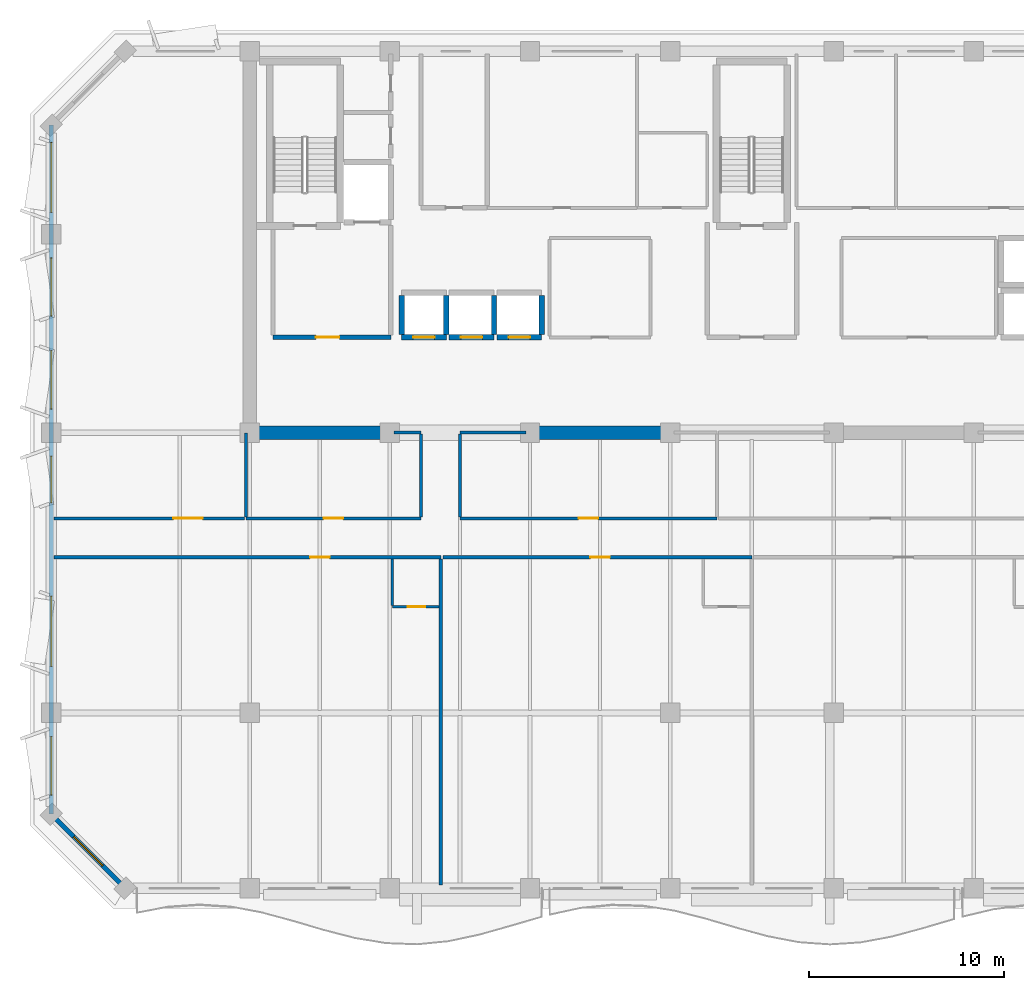
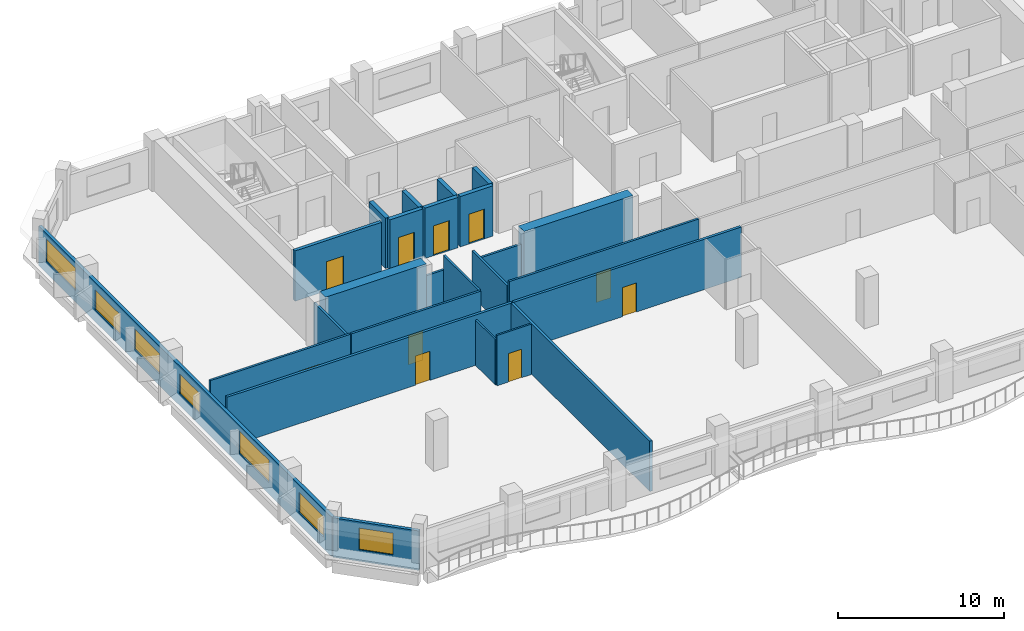
# One storey, part 3 of 11: 25 walls, 10 doors, 7 windows, 17 openings.
"""IFC4 building model written with IfcOpenShell, lengths in metres."""

from ifc_helpers import new_model, si_unit, direction, frame, frame_2d, origin, place, context, subcontext, project, spatial, rectangle, extrude, material, layer, layer_set, type_object, element, fill, save


model = new_model("IFC4")

# Units and contexts
model_context = context("Model", 3, precision=1e-05, world=origin(), true_north=direction((0.0, 1.0)))
body_context = subcontext(model_context, "Body", "Model", "MODEL_VIEW")
ifc_project = project(units=[si_unit("LENGTHUNIT", "METRE"), si_unit("AREAUNIT", "SQUARE_METRE"), si_unit("VOLUMEUNIT", "CUBIC_METRE"), si_unit("PLANEANGLEUNIT", "RADIAN"), si_unit("MASSUNIT", "GRAM", prefix="KILO")], contexts=[model_context])

# Site, building, storey
site_placement = place(None, origin())
site = spatial("IfcSite", under=ifc_project, at=site_placement, CompositionType="ELEMENT")
building_placement = place(site_placement, origin())
building = spatial("IfcBuilding", under=site, at=building_placement, Name="Kaelvorn Grand Hotel", CompositionType="ELEMENT")
storey_placement = place(building_placement, frame((0.0, 0.0, 268.64990234375)))
storey = spatial("IfcBuildingStorey", under=building, at=storey_placement, Name="L66", CompositionType="ELEMENT", Elevation=268.64990234375)

# Walls
ifc_material_1 = material(Name="Concrete C50/60", Category="concrete")
ifc_layer_1 = layer(ifc_material_1, 0.699951171875)
ifc_layer_set_1 = layer_set([ifc_layer_1], Name="Concrete C50/60")
wall_type_1 = type_object("IfcWallType", Name="WL-CORE-700-C50", PredefinedType="SHEAR", material=ifc_layer_set_1)
wall_1_placement = place(storey_placement, frame((16.554931640625, 29.39990234375, 0.0), z_axis=(0.0, 0.0, 1.0), x_axis=(1.0, 0.0, 0.0)))
element("IfcWall", 1, at=wall_1_placement, inside=storey, type_object=wall_type_1, Name="L66 Rear-Core Coupled Shear Pier S1", PredefinedType="SHEAR", context=body_context, shape_type="SweptSolid", body=[
    extrude(rectangle(XDim=7.045166015625, YDim=0.699951171875, at=frame_2d((3.5224609375, 0.0))), origin(), (0.0, 0.0, 1.0), 3.710205078125),
])
wall_2_placement = place(storey_placement, frame((30.39990234375, 29.39990234375, 0.0), z_axis=(0.0, 0.0, 1.0), x_axis=(1.0, 0.0, 0.0)))
element("IfcWall", 2, at=wall_2_placement, inside=storey, type_object=wall_type_1, Name="L66 Rear-Core Coupled Shear Pier S2", PredefinedType="SHEAR", context=body_context, shape_type="SweptSolid", body=[
    extrude(rectangle(XDim=7.60009765625, YDim=0.699951171875, at=frame_2d((3.800048828125, 0.0))), origin(), (0.0, 0.0, 1.0), 3.710205078125),
])

# Wall, openings, windows
ifc_material_2 = material(Name="Concrete C40/50", Category="concrete")
ifc_layer_2 = layer(ifc_material_2, 0.219970703125)
ifc_layer_set_2 = layer_set([ifc_layer_2], Name="Concrete C40/50")
wall_type_2 = type_object("IfcWallType", Name="WL-EXT-220-C40", PredefinedType="SOLIDWALL", material=ifc_layer_set_2)
wall_3_placement = place(storey_placement, frame((6.0, 45.199951171875, 0.0), z_axis=(0.0, 0.0, 1.0), x_axis=(0.0, -1.0, 0.0)))
wall_3 = element("IfcWall", 3, at=wall_3_placement, inside=storey, type_object=wall_type_2, Name="L66 Exterior Architectural Concrete Wall 07", PredefinedType="SOLIDWALL", context=body_context, shape_type="SweptSolid", body=[
    extrude(rectangle(XDim=35.39990234375, YDim=0.219970703125, at=frame_2d((17.699951171875, 0.0))), origin(), (0.0, 0.0, 1.0), 2.91015625),
])
opening_1_placement = place(wall_3_placement, frame((31.4150390625, 0.0, 0.85009765625)))
opening_1 = element("IfcOpeningElement", 4, at=opening_1_placement, cuts=wall_3, Name="Opening W5", PredefinedType="OPENING", context=body_context, shape_type="SweptSolid", body=[
    extrude(rectangle(XDim=3.0, YDim=1.5, at=frame_2d((1.5, 0.75))), frame((0.0, 0.1201171875, 0.0), z_axis=(0.0, -1.0, 0.0), x_axis=(1.0, 0.0, 0.0)), (0.0, 0.0, 1.0), 0.239990234375),
])
opening_2_placement = place(wall_3_placement, frame((24.199951171875, 0.0, 0.85009765625)))
opening_2 = element("IfcOpeningElement", 5, at=opening_2_placement, cuts=wall_3, Name="Opening W3", PredefinedType="OPENING", context=body_context, shape_type="SweptSolid", body=[
    extrude(rectangle(XDim=3.60009765625, YDim=1.64990234375, at=frame_2d((1.800048828125, 0.824951171875))), frame((0.0, 0.1201171875, 0.0), z_axis=(0.0, -1.0, 0.0), x_axis=(1.0, 0.0, 0.0)), (0.0, 0.0, 1.0), 0.239990234375),
])
opening_3_placement = place(wall_3_placement, frame((17.0, 0.0, 0.85009765625)))
opening_3 = element("IfcOpeningElement", 6, at=opening_3_placement, cuts=wall_3, Name="Opening W6", PredefinedType="OPENING", context=body_context, shape_type="SweptSolid", body=[
    extrude(rectangle(XDim=2.39990234375, YDim=1.5, at=frame_2d((1.199951171875, 0.75))), frame((0.0, 0.1201171875, 0.0), z_axis=(0.0, -1.0, 0.0), x_axis=(1.0, 0.0, 0.0)), (0.0, 0.0, 1.0), 0.239990234375),
])
opening_4_placement = place(wall_3_placement, frame((11.5849609375, 0.0, 0.85009765625)))
opening_4 = element("IfcOpeningElement", 7, at=opening_4_placement, cuts=wall_3, Name="Opening W5", PredefinedType="OPENING", context=body_context, shape_type="SweptSolid", body=[
    extrude(rectangle(XDim=3.0, YDim=1.5, at=frame_2d((1.5, 0.75))), frame((0.0, 0.1201171875, 0.0), z_axis=(0.0, -1.0, 0.0), x_axis=(1.0, 0.0, 0.0)), (0.0, 0.0, 1.0), 0.239990234375),
])
opening_5_placement = place(wall_3_placement, frame((6.81494140625, 0.0, 0.85009765625)))
opening_5 = element("IfcOpeningElement", 8, at=opening_5_placement, cuts=wall_3, Name="Opening W5", PredefinedType="OPENING", context=body_context, shape_type="SweptSolid", body=[
    extrude(rectangle(XDim=3.0, YDim=1.5, at=frame_2d((1.5, 0.75))), frame((0.0, 0.1201171875, 0.0), z_axis=(0.0, -1.0, 0.0), x_axis=(1.0, 0.0, 0.0)), (0.0, 0.0, 1.0), 0.239990234375),
])
opening_6_placement = place(wall_3_placement, frame((0.885009765625, 0.0, 0.85009765625)))
opening_6 = element("IfcOpeningElement", 9, at=opening_6_placement, cuts=wall_3, Name="Opening W3", PredefinedType="OPENING", context=body_context, shape_type="SweptSolid", body=[
    extrude(rectangle(XDim=3.60009765625, YDim=1.64990234375, at=frame_2d((1.800048828125, 0.824951171875))), frame((0.0, 0.1201171875, 0.0), z_axis=(0.0, -1.0, 0.0), x_axis=(1.0, 0.0, 0.0)), (0.0, 0.0, 1.0), 0.239990234375),
])
ifc_material_3 = material(Name="Laminated Low-E Glass", Category="glass")
window_type_1 = type_object("IfcWindowType", Name="WIN-NTH-2400x1500", PartitioningType="SINGLE_PANEL", PredefinedType="WINDOW", material=ifc_material_3)
window_1_placement = place(opening_3_placement, origin())
window_1 = element("IfcWindow", 10, at=window_1_placement, inside=storey, type_object=window_type_1, Name="L66 W Wing Tilted-Frame Ribbon Window W03", OverallHeight=1.5, OverallWidth=2.39990234375, PartitioningType="SINGLE_PANEL", PredefinedType="WINDOW", context=body_context, shape_type="SweptSolid", body=[
    extrude(rectangle(XDim=2.39990234375, YDim=1.5, at=frame_2d((1.199951171875, 0.75))), frame((0.0, 0.030029296875, 0.0), z_axis=(0.0, -1.0, 0.0), x_axis=(1.0, 0.0, 0.0)), (0.0, 0.0, 1.0), 0.06005859375),
])
fill(opening_3, window_1)
window_type_2 = type_object("IfcWindowType", Name="WIN-NTH-3000x1500", PartitioningType="SINGLE_PANEL", PredefinedType="WINDOW", material=ifc_material_3)
window_2_placement = place(opening_1_placement, origin())
window_2 = element("IfcWindow", 11, at=window_2_placement, inside=storey, type_object=window_type_2, Name="L66 W Wing Tilted-Frame Ribbon Window W01", OverallHeight=1.5, OverallWidth=3.0, PartitioningType="SINGLE_PANEL", PredefinedType="WINDOW", context=body_context, shape_type="SweptSolid", body=[
    extrude(rectangle(XDim=3.0, YDim=1.5, at=frame_2d((1.5, 0.75))), frame((0.0, 0.030029296875, 0.0), z_axis=(0.0, -1.0, 0.0), x_axis=(1.0, 0.0, 0.0)), (0.0, 0.0, 1.0), 0.06005859375),
])
fill(opening_1, window_2)
window_3_placement = place(opening_4_placement, origin())
window_3 = element("IfcWindow", 12, at=window_3_placement, inside=storey, type_object=window_type_2, Name="L66 W Wing Tilted-Frame Ribbon Window W04", OverallHeight=1.5, OverallWidth=3.0, PartitioningType="SINGLE_PANEL", PredefinedType="WINDOW", context=body_context, shape_type="SweptSolid", body=[
    extrude(rectangle(XDim=3.0, YDim=1.5, at=frame_2d((1.5, 0.75))), frame((0.0, 0.030029296875, 0.0), z_axis=(0.0, -1.0, 0.0), x_axis=(1.0, 0.0, 0.0)), (0.0, 0.0, 1.0), 0.06005859375),
])
fill(opening_4, window_3)
window_4_placement = place(opening_5_placement, origin())
window_4 = element("IfcWindow", 13, at=window_4_placement, inside=storey, type_object=window_type_2, Name="L66 W Wing Tilted-Frame Ribbon Window W05", OverallHeight=1.5, OverallWidth=3.0, PartitioningType="SINGLE_PANEL", PredefinedType="WINDOW", context=body_context, shape_type="SweptSolid", body=[
    extrude(rectangle(XDim=3.0, YDim=1.5, at=frame_2d((1.5, 0.75))), frame((0.0, 0.030029296875, 0.0), z_axis=(0.0, -1.0, 0.0), x_axis=(1.0, 0.0, 0.0)), (0.0, 0.0, 1.0), 0.06005859375),
])
fill(opening_5, window_4)
window_type_3 = type_object("IfcWindowType", Name="WIN-RIB-3600x1750", PartitioningType="SINGLE_PANEL", PredefinedType="WINDOW", material=ifc_material_3)
window_5_placement = place(opening_2_placement, origin())
window_5 = element("IfcWindow", 14, at=window_5_placement, inside=storey, type_object=window_type_3, Name="L66 W Wing Tilted-Frame Ribbon Window W02", OverallHeight=1.64990234375, OverallWidth=3.60009765625, PartitioningType="SINGLE_PANEL", PredefinedType="WINDOW", context=body_context, shape_type="SweptSolid", body=[
    extrude(rectangle(XDim=3.60009765625, YDim=1.64990234375, at=frame_2d((1.800048828125, 0.824951171875))), frame((0.0, 0.030029296875, 0.0), z_axis=(0.0, -1.0, 0.0), x_axis=(1.0, 0.0, 0.0)), (0.0, 0.0, 1.0), 0.06005859375),
])
fill(opening_2, window_5)
window_6_placement = place(opening_6_placement, origin())
window_6 = element("IfcWindow", 15, at=window_6_placement, inside=storey, type_object=window_type_3, Name="L66 W Wing Tilted-Frame Ribbon Window W06", OverallHeight=1.64990234375, OverallWidth=3.60009765625, PartitioningType="SINGLE_PANEL", PredefinedType="WINDOW", context=body_context, shape_type="SweptSolid", body=[
    extrude(rectangle(XDim=3.60009765625, YDim=1.64990234375, at=frame_2d((1.800048828125, 0.824951171875))), frame((0.0, 0.030029296875, 0.0), z_axis=(0.0, -1.0, 0.0), x_axis=(1.0, 0.0, 0.0)), (0.0, 0.0, 1.0), 0.06005859375),
])
fill(opening_6, window_6)

# Wall, opening, window
wall_4_placement = place(storey_placement, frame((6.0, 9.800048828125, 0.0), z_axis=(0.0, 0.0, 1.0), x_axis=(0.707106781187, -0.707106781187, 0.0)))
wall_4 = element("IfcWall", 16, at=wall_4_placement, inside=storey, type_object=wall_type_2, Name="L66 Exterior Architectural Concrete Wall 08", PredefinedType="SOLIDWALL", context=body_context, shape_type="SweptSolid", body=[
    extrude(rectangle(XDim=5.3740234375, YDim=0.219970703125, at=frame_2d((2.68701171875, 0.0))), origin(), (0.0, 0.0, 1.0), 2.91015625),
])
opening_7_placement = place(wall_4_placement, frame((1.636962890625, 0.0, 0.85009765625)))
opening_7 = element("IfcOpeningElement", 17, at=opening_7_placement, cuts=wall_4, Name="Opening W7", PredefinedType="OPENING", context=body_context, shape_type="SweptSolid", body=[
    extrude(rectangle(XDim=2.10009765625, YDim=1.60009765625, at=frame_2d((1.050048828125, 0.800048828125))), frame((0.0, 0.1201171875, 0.0), z_axis=(0.0, -1.0, 0.0), x_axis=(1.0, 0.0, 0.0)), (0.0, 0.0, 1.0), 0.239990234375),
])
window_type_4 = type_object("IfcWindowType", Name="WIN-CHM-2100x1600", PartitioningType="SINGLE_PANEL", PredefinedType="WINDOW", material=ifc_material_3)
window_7_placement = place(opening_7_placement, origin())
window_7 = element("IfcWindow", 18, at=window_7_placement, inside=storey, type_object=window_type_4, Name="L66 Chamfered 45-Degree Corner Window SW", OverallHeight=1.60009765625, OverallWidth=2.10009765625, PartitioningType="SINGLE_PANEL", PredefinedType="WINDOW", context=body_context, shape_type="SweptSolid", body=[
    extrude(rectangle(XDim=2.10009765625, YDim=1.60009765625, at=frame_2d((1.050048828125, 0.800048828125))), frame((0.0, 0.030029296875, 0.0), z_axis=(0.0, -1.0, 0.0), x_axis=(1.0, 0.0, 0.0)), (0.0, 0.0, 1.0), 0.06005859375),
])
fill(opening_7, window_7)

# Wall, opening, door
ifc_material_4 = material(Name="Moisture-Resistant Tile & Stud Board")
ifc_layer_3 = layer(ifc_material_4, 0.125)
ifc_layer_set_3 = layer_set([ifc_layer_3], Name="Moisture-Resistant Tile & Stud Board")
wall_type_3 = type_object("IfcWallType", Name="WL-PART-125-WET", PredefinedType="PARTITIONING", material=ifc_layer_set_3)
wall_5_placement = place(storey_placement, frame((23.52490234375, 20.449951171875, 0.0), z_axis=(0.0, 0.0, 1.0), x_axis=(1.0, 0.0, 0.0)))
wall_5 = element("IfcWall", 19, at=wall_5_placement, inside=storey, type_object=wall_type_3, Name="L66 En-suite Bathroom L66-01 S Partition", PredefinedType="PARTITIONING", context=body_context, shape_type="SweptSolid", body=[
    extrude(rectangle(XDim=2.405029296875, YDim=0.125, at=frame_2d((1.20263671875, 0.0))), origin(), (0.0, 0.0, 1.0), 3.710205078125),
])
opening_8_placement = place(wall_5_placement, frame((0.800048828125, 0.0, 0.0)))
opening_8 = element("IfcOpeningElement", 20, at=opening_8_placement, cuts=wall_5, Name="Opening DI4", PredefinedType="OPENING", context=body_context, shape_type="SweptSolid", body=[
    extrude(rectangle(XDim=0.89990234375, YDim=2.10009765625, at=frame_2d((0.449951171875, 1.050048828125))), frame((0.0, 0.072509765625, 0.0), z_axis=(0.0, -1.0, 0.0), x_axis=(1.0, 0.0, 0.0)), (0.0, 0.0, 1.0), 0.14501953125),
])
ifc_material_5 = material(Name="Timber Veneer Leaf", Category="wood")
door_type_1 = type_object("IfcDoorType", Name="DR-INT-BATH-900x2100", OperationType="NOTDEFINED", PredefinedType="DOOR", material=ifc_material_5)
door_1_placement = place(opening_8_placement, origin())
door_1 = element("IfcDoor", 21, at=door_1_placement, inside=storey, type_object=door_type_1, Name="L66 En-suite Bathroom L66-01 Door", OperationType="SINGLE_SWING_LEFT", OverallHeight=2.10009765625, OverallWidth=0.89990234375, PredefinedType="DOOR", context=body_context, shape_type="SweptSolid", body=[
    extrude(rectangle(XDim=0.89990234375, YDim=2.10009765625, at=frame_2d((0.449951171875, 1.050048828125))), frame((0.0, 0.02490234375, 0.0), z_axis=(0.0, -1.0, 0.0), x_axis=(1.0, 0.0, 0.0)), (0.0, 0.0, 1.0), 0.050048828125),
])
fill(opening_8, door_1)

# Wall
wall_6_placement = place(storey_placement, frame((23.52490234375, 20.517578125, 0.0), z_axis=(0.0, 0.0, 1.0), x_axis=(0.0, 1.0, 0.0)))
element("IfcWall", 22, at=wall_6_placement, inside=storey, type_object=wall_type_3, Name="L66 En-suite Bathroom L66-01 W Partition", PredefinedType="PARTITIONING", context=body_context, shape_type="SweptSolid", body=[
    extrude(rectangle(XDim=2.387451171875, YDim=0.125, at=frame_2d((1.19384765625, 0.0))), origin(), (0.0, 0.0, 1.0), 3.35009765625),
])

# Wall, opening, door
ifc_material_6 = material(Name="Acoustic Gypsum & Stud Partition")
ifc_layer_4 = layer(ifc_material_6, 0.14990234375)
ifc_layer_set_4 = layer_set([ifc_layer_4], Name="Acoustic Gypsum & Stud Partition")
wall_type_4 = type_object("IfcWallType", Name="WL-PART-150-EI60", PredefinedType="PARTITIONING", material=ifc_layer_set_4)
wall_7_placement = place(storey_placement, frame((16.0, 25.0, 0.0), z_axis=(0.0, 0.0, 1.0), x_axis=(1.0, 0.0, 0.0)))
wall_7 = element("IfcWall", 23, at=wall_7_placement, inside=storey, type_object=wall_type_4, Name="L66 Wellness Spa Salon S Partition", PredefinedType="PARTITIONING", context=body_context, shape_type="SweptSolid", body=[
    extrude(rectangle(XDim=9.0, YDim=0.14990234375, at=frame_2d((4.5, 0.0))), origin(), (0.0, 0.0, 1.0), 3.710205078125),
])
opening_9_placement = place(wall_7_placement, frame((4.0, 0.0, 0.0)))
opening_9 = element("IfcOpeningElement", 24, at=opening_9_placement, cuts=wall_7, Name="Opening DI3", PredefinedType="OPENING", context=body_context, shape_type="SweptSolid", body=[
    extrude(rectangle(XDim=1.0, YDim=2.14990234375, at=frame_2d((0.5, 1.074951171875))), frame((0.0, 0.0849609375, 0.0), z_axis=(0.0, -1.0, 0.0), x_axis=(1.0, 0.0, 0.0)), (0.0, 0.0, 1.0), 0.169921875),
])
ifc_material_7 = material(Name="Timber Veneer Fire Leaf", Category="wood")
door_type_2 = type_object("IfcDoorType", Name="DR-INT-GUEST-1000x2150", OperationType="NOTDEFINED", PredefinedType="DOOR", material=ifc_material_7)
door_2_placement = place(opening_9_placement, origin())
door_2 = element("IfcDoor", 25, at=door_2_placement, inside=storey, type_object=door_type_2, Name="L66 Wellness Spa Salon Door", OperationType="SINGLE_SWING_RIGHT", OverallHeight=2.14990234375, OverallWidth=1.0, PredefinedType="DOOR", context=body_context, shape_type="SweptSolid", body=[
    extrude(rectangle(XDim=1.0, YDim=2.14990234375, at=frame_2d((0.5, 1.074951171875))), frame((0.0, 0.02490234375, 0.0), z_axis=(0.0, -1.0, 0.0), x_axis=(1.0, 0.0, 0.0)), (0.0, 0.0, 1.0), 0.050048828125),
])
fill(opening_9, door_2)

# Walls
wall_8_placement = place(storey_placement, frame((23.610107421875, 29.39990234375, 0.0), z_axis=(0.0, 0.0, 1.0), x_axis=(1.0, 0.0, 0.0)))
element("IfcWall", 26, at=wall_8_placement, inside=storey, type_object=wall_type_4, Name="L66 Wellness Spa Salon N Partition", PredefinedType="PARTITIONING", context=body_context, shape_type="SweptSolid", body=[
    extrude(rectangle(XDim=1.389892578125, YDim=0.14990234375, at=frame_2d((0.69482421875, 0.0))), origin(), (0.0, 0.0, 1.0), 2.610107421875),
])
wall_9_placement = place(storey_placement, frame((16.0, 25.080078125, 0.0), z_axis=(0.0, 0.0, 1.0), x_axis=(0.0, 1.0, 0.0)))
element("IfcWall", 27, at=wall_9_placement, inside=storey, type_object=wall_type_4, Name="L66 Wellness Spa Salon W Partition", PredefinedType="PARTITIONING", context=body_context, shape_type="SweptSolid", body=[
    extrude(rectangle(XDim=4.309814453125, YDim=0.14990234375, at=frame_2d((2.15478515625, 0.0))), origin(), (0.0, 0.0, 1.0), 3.35009765625),
])
wall_10_placement = place(storey_placement, frame((25.0, 25.080078125, 0.0), z_axis=(0.0, 0.0, 1.0), x_axis=(0.0, 1.0, 0.0)))
element("IfcWall", 28, at=wall_10_placement, inside=storey, type_object=wall_type_4, Name="L66 Wellness Spa Salon E Partition", PredefinedType="PARTITIONING", context=body_context, shape_type="SweptSolid", body=[
    extrude(rectangle(XDim=4.239990234375, YDim=0.14990234375, at=frame_2d((2.1201171875, 0.0))), origin(), (0.0, 0.0, 1.0), 3.710205078125),
])

# Wall, opening, door
wall_11_placement = place(storey_placement, frame((27.0, 25.0, 0.0), z_axis=(0.0, 0.0, 1.0), x_axis=(1.0, 0.0, 0.0)))
wall_11 = element("IfcWall", 29, at=wall_11_placement, inside=storey, type_object=wall_type_4, Name="L66 Guest Pantry Kitchen S Partition", PredefinedType="PARTITIONING", context=body_context, shape_type="SweptSolid", body=[
    extrude(rectangle(XDim=13.199951171875, YDim=0.14990234375, at=frame_2d((6.60009765625, 0.0))), origin(), (0.0, 0.0, 1.0), 3.710205078125),
])
opening_10_placement = place(wall_11_placement, frame((6.10009765625, 0.0, 0.0)))
opening_10 = element("IfcOpeningElement", 30, at=opening_10_placement, cuts=wall_11, Name="Opening DI3", PredefinedType="OPENING", context=body_context, shape_type="SweptSolid", body=[
    extrude(rectangle(XDim=1.0, YDim=2.14990234375, at=frame_2d((0.5, 1.074951171875))), frame((0.0, 0.0849609375, 0.0), z_axis=(0.0, -1.0, 0.0), x_axis=(1.0, 0.0, 0.0)), (0.0, 0.0, 1.0), 0.169921875),
])
door_3_placement = place(opening_10_placement, origin())
door_3 = element("IfcDoor", 31, at=door_3_placement, inside=storey, type_object=door_type_2, Name="L66 Guest Pantry Kitchen Door", OperationType="SINGLE_SWING_LEFT", OverallHeight=2.14990234375, OverallWidth=1.0, PredefinedType="DOOR", context=body_context, shape_type="SweptSolid", body=[
    extrude(rectangle(XDim=1.0, YDim=2.14990234375, at=frame_2d((0.5, 1.074951171875))), frame((0.0, 0.02490234375, 0.0), z_axis=(0.0, -1.0, 0.0), x_axis=(1.0, 0.0, 0.0)), (0.0, 0.0, 1.0), 0.050048828125),
])
fill(opening_10, door_3)

# Walls
wall_12_placement = place(storey_placement, frame((27.0, 29.39990234375, 0.0), z_axis=(0.0, 0.0, 1.0), x_axis=(1.0, 0.0, 0.0)))
element("IfcWall", 32, at=wall_12_placement, inside=storey, type_object=wall_type_4, Name="L66 Guest Pantry Kitchen N Partition (1)", PredefinedType="PARTITIONING", context=body_context, shape_type="SweptSolid", body=[
    extrude(rectangle(XDim=3.389892578125, YDim=0.14990234375, at=frame_2d((1.69482421875, 0.0))), origin(), (0.0, 0.0, 1.0), 2.610107421875),
])
wall_13_placement = place(storey_placement, frame((27.0, 25.080078125, 0.0), z_axis=(0.0, 0.0, 1.0), x_axis=(0.0, 1.0, 0.0)))
element("IfcWall", 33, at=wall_13_placement, inside=storey, type_object=wall_type_4, Name="L66 Guest Pantry Kitchen W Partition", PredefinedType="PARTITIONING", context=body_context, shape_type="SweptSolid", body=[
    extrude(rectangle(XDim=4.239990234375, YDim=0.14990234375, at=frame_2d((2.1201171875, 0.0))), origin(), (0.0, 0.0, 1.0), 3.35009765625),
])

# Wall, opening, door
wall_14_placement = place(storey_placement, frame((6.14990234375, 25.0, 0.0), z_axis=(0.0, 0.0, 1.0), x_axis=(1.0, 0.0, 0.0)))
wall_14 = element("IfcWall", 34, at=wall_14_placement, inside=storey, type_object=wall_type_4, Name="L66 West Sky Executive Meeting Room S Partition", PredefinedType="PARTITIONING", context=body_context, shape_type="SweptSolid", body=[
    extrude(rectangle(XDim=9.77001953125, YDim=0.14990234375, at=frame_2d((4.885009765625, 0.0))), origin(), (0.0, 0.0, 1.0), 3.710205078125),
])
opening_11_placement = place(wall_14_placement, frame((6.1298828125, 0.0, 0.0)))
opening_11 = element("IfcOpeningElement", 35, at=opening_11_placement, cuts=wall_14, Name="Opening DI5", PredefinedType="OPENING", context=body_context, shape_type="SweptSolid", body=[
    extrude(rectangle(XDim=1.5, YDim=2.25, at=frame_2d((0.75, 1.125))), frame((0.0, 0.0849609375, 0.0), z_axis=(0.0, -1.0, 0.0), x_axis=(1.0, 0.0, 0.0)), (0.0, 0.0, 1.0), 0.169921875),
])
door_type_3 = type_object("IfcDoorType", Name="DR-INT-SALON-1500x2250", OperationType="DOUBLE_DOOR_SINGLE_SWING", PredefinedType="DOOR", material=ifc_material_7)
door_4_placement = place(opening_11_placement, origin())
door_4 = element("IfcDoor", 36, at=door_4_placement, inside=storey, type_object=door_type_3, Name="L66 West Sky Executive Meeting Room Door", OperationType="DOUBLE_DOOR_SINGLE_SWING", OverallHeight=2.25, OverallWidth=1.5, PredefinedType="DOOR", context=body_context, shape_type="SweptSolid", body=[
    extrude(rectangle(XDim=1.5, YDim=2.25, at=frame_2d((0.75, 1.125))), frame((0.0, 0.02490234375, 0.0), z_axis=(0.0, -1.0, 0.0), x_axis=(1.0, 0.0, 0.0)), (0.0, 0.0, 1.0), 0.050048828125),
])
fill(opening_11, door_4)

ifc_layer_5 = layer(ifc_material_6, 0.179931640625)
ifc_layer_set_5 = layer_set([ifc_layer_5], Name="Acoustic Gypsum & Stud Partition")
wall_type_5 = type_object("IfcWallType", Name="WL-PART-180-EI60", PredefinedType="PARTITIONING", material=ifc_layer_set_5)
wall_15_placement = place(storey_placement, frame((6.14990234375, 23.0, 0.0), z_axis=(0.0, 0.0, 1.0), x_axis=(1.0, 0.0, 0.0)))
wall_15 = element("IfcWall", 37, at=wall_15_placement, inside=storey, type_object=wall_type_5, Name="L66 Presidential Sky Suite L66-01 N Partition", PredefinedType="PARTITIONING", context=body_context, shape_type="SweptSolid", body=[
    extrude(rectangle(XDim=19.875, YDim=0.179931640625, at=frame_2d((9.9375, 0.0))), origin(), (0.0, 0.0, 1.0), 3.710205078125),
])
opening_12_placement = place(wall_15_placement, frame((13.14990234375, 0.0, 0.0)))
opening_12 = element("IfcOpeningElement", 38, at=opening_12_placement, cuts=wall_15, Name="Opening DI3", PredefinedType="OPENING", context=body_context, shape_type="SweptSolid", body=[
    extrude(rectangle(XDim=1.0, YDim=2.14990234375, at=frame_2d((0.5, 1.074951171875))), frame((0.0, 0.10009765625, 0.0), z_axis=(0.0, -1.0, 0.0), x_axis=(1.0, 0.0, 0.0)), (0.0, 0.0, 1.0), 0.199951171875),
])
door_5_placement = place(opening_12_placement, origin())
door_5 = element("IfcDoor", 39, at=door_5_placement, inside=storey, type_object=door_type_2, Name="L66 Presidential Sky Suite L66-01 Door", OperationType="SINGLE_SWING_RIGHT", OverallHeight=2.14990234375, OverallWidth=1.0, PredefinedType="DOOR", context=body_context, shape_type="SweptSolid", body=[
    extrude(rectangle(XDim=1.0, YDim=2.14990234375, at=frame_2d((0.5, 1.074951171875))), frame((0.0, 0.02490234375, 0.0), z_axis=(0.0, -1.0, 0.0), x_axis=(1.0, 0.0, 0.0)), (0.0, 0.0, 1.0), 0.050048828125),
])
fill(opening_12, door_5)

# Wall
wall_16_placement = place(storey_placement, frame((26.02490234375, 6.14990234375, 0.0), z_axis=(0.0, 0.0, 1.0), x_axis=(0.0, 1.0, 0.0)))
element("IfcWall", 40, at=wall_16_placement, inside=storey, type_object=wall_type_5, Name="L66 Presidential Sky Suite L66-01 E Partition", PredefinedType="PARTITIONING", context=body_context, shape_type="SweptSolid", body=[
    extrude(rectangle(XDim=16.755126953125, YDim=0.179931640625, at=frame_2d((8.37744140625, 0.0))), origin(), (0.0, 0.0, 1.0), 3.710205078125),
])

# Wall, opening, door
wall_17_placement = place(storey_placement, frame((26.1201171875, 23.0, 0.0), z_axis=(0.0, 0.0, 1.0), x_axis=(1.0, 0.0, 0.0)))
wall_17 = element("IfcWall", 41, at=wall_17_placement, inside=storey, type_object=wall_type_5, Name="L66 Presidential Sky Suite L66-02 N Partition", PredefinedType="PARTITIONING", context=body_context, shape_type="SweptSolid", body=[
    extrude(rectangle(XDim=15.8798828125, YDim=0.179931640625, at=frame_2d((7.93994140625, 0.0))), origin(), (0.0, 0.0, 1.0), 3.710205078125),
])
opening_13_placement = place(wall_17_placement, frame((7.580078125, 0.0, 0.0)))
opening_13 = element("IfcOpeningElement", 42, at=opening_13_placement, cuts=wall_17, Name="Opening DI3", PredefinedType="OPENING", context=body_context, shape_type="SweptSolid", body=[
    extrude(rectangle(XDim=1.0, YDim=2.14990234375, at=frame_2d((0.5, 1.074951171875))), frame((0.0, 0.10009765625, 0.0), z_axis=(0.0, -1.0, 0.0), x_axis=(1.0, 0.0, 0.0)), (0.0, 0.0, 1.0), 0.199951171875),
])
door_6_placement = place(opening_13_placement, origin())
door_6 = element("IfcDoor", 43, at=door_6_placement, inside=storey, type_object=door_type_2, Name="L66 Presidential Sky Suite L66-02 Door", OperationType="SINGLE_SWING_RIGHT", OverallHeight=2.14990234375, OverallWidth=1.0, PredefinedType="DOOR", context=body_context, shape_type="SweptSolid", body=[
    extrude(rectangle(XDim=1.0, YDim=2.14990234375, at=frame_2d((0.5, 1.074951171875))), frame((0.0, 0.02490234375, 0.0), z_axis=(0.0, -1.0, 0.0), x_axis=(1.0, 0.0, 0.0)), (0.0, 0.0, 1.0), 0.050048828125),
])
fill(opening_13, door_6)

ifc_layer_6 = layer(ifc_material_2, 0.219970703125)
ifc_layer_set_6 = layer_set([ifc_layer_6], Name="Concrete C40/50")
wall_type_6 = type_object("IfcWallType", Name="WL-PART-220-EI120", PredefinedType="PARTITIONING", material=ifc_layer_set_6)
wall_18_placement = place(storey_placement, frame((17.39990234375, 34.300048828125, 0.0), z_axis=(0.0, 0.0, 1.0), x_axis=(1.0, 0.0, 0.0)))
wall_18 = element("IfcWall", 44, at=wall_18_placement, inside=storey, type_object=wall_type_6, Name="L66 Firefighting Lift Lobby 1 S Partition", PredefinedType="PARTITIONING", context=body_context, shape_type="SweptSolid", body=[
    extrude(rectangle(XDim=6.050048828125, YDim=0.219970703125, at=frame_2d((3.02490234375, 0.0))), origin(), (0.0, 0.0, 1.0), 3.710205078125),
])
opening_14_placement = place(wall_18_placement, frame((2.199951171875, 0.0, 0.0)))
opening_14 = element("IfcOpeningElement", 45, at=opening_14_placement, cuts=wall_18, Name="Opening DI2", PredefinedType="OPENING", context=body_context, shape_type="SweptSolid", body=[
    extrude(rectangle(XDim=1.199951171875, YDim=2.14990234375, at=frame_2d((0.60009765625, 1.074951171875))), frame((0.0, 0.1201171875, 0.0), z_axis=(0.0, -1.0, 0.0), x_axis=(1.0, 0.0, 0.0)), (0.0, 0.0, 1.0), 0.239990234375),
])
door_type_4 = type_object("IfcDoorType", Name="DR-INT-FFLOB-1200x2150", OperationType="NOTDEFINED", PredefinedType="DOOR", material=ifc_material_7)
door_7_placement = place(opening_14_placement, origin())
door_7 = element("IfcDoor", 46, at=door_7_placement, inside=storey, type_object=door_type_4, Name="L66 Firefighting Lift Lobby 1 Door", OperationType="SINGLE_SWING_LEFT", OverallHeight=2.14990234375, OverallWidth=1.199951171875, PredefinedType="DOOR", context=body_context, shape_type="SweptSolid", body=[
    extrude(rectangle(XDim=1.199951171875, YDim=2.14990234375, at=frame_2d((0.60009765625, 1.074951171875))), frame((0.0, 0.02490234375, 0.0), z_axis=(0.0, -1.0, 0.0), x_axis=(1.0, 0.0, 0.0)), (0.0, 0.0, 1.0), 0.050048828125),
])
fill(opening_14, door_7)

ifc_layer_7 = layer(ifc_material_1, 0.280029296875)
ifc_layer_set_7 = layer_set([ifc_layer_7], Name="Concrete C50/60")
wall_type_7 = type_object("IfcWallType", Name="WL-SHAFT-280-C50", PredefinedType="SHEAR", material=ifc_layer_set_7)
wall_19_placement = place(storey_placement, frame((24.0, 34.300048828125, 0.0), z_axis=(0.0, 0.0, 1.0), x_axis=(1.0, 0.0, 0.0)))
wall_19 = element("IfcWall", 47, at=wall_19_placement, inside=storey, type_object=wall_type_7, Name="L66 Lift PL-H1 Shaft South Wall", PredefinedType="SHEAR", context=body_context, shape_type="SweptSolid", body=[
    extrude(rectangle(XDim=2.300048828125, YDim=0.280029296875, at=frame_2d((1.14990234375, 0.0))), origin(), (0.0, 0.0, 1.0), 3.710205078125),
])
opening_15_placement = place(wall_19_placement, frame((0.60009765625, 0.0, 0.0)))
opening_15 = element("IfcOpeningElement", 48, at=opening_15_placement, cuts=wall_19, Name="Opening LD-PL-H1", PredefinedType="OPENING", context=body_context, shape_type="SweptSolid", body=[
    extrude(rectangle(XDim=1.10009765625, YDim=2.199951171875, at=frame_2d((0.550048828125, 1.10009765625))), frame((0.0, 0.14990234375, 0.0), z_axis=(0.0, -1.0, 0.0), x_axis=(1.0, 0.0, 0.0)), (0.0, 0.0, 1.0), 0.300048828125),
])
ifc_material_8 = material(Name="Stainless Steel", Category="steel")
door_type_5 = type_object("IfcDoorType", Name="DR-LIFT-PASS-1100x2200", OperationType="DOUBLE_DOOR_SLIDING", PredefinedType="DOOR", material=ifc_material_8)
door_8_placement = place(opening_15_placement, origin())
door_8 = element("IfcDoor", 49, at=door_8_placement, inside=storey, type_object=door_type_5, Name="L66 Lift PL-H1 Sliding Landing Door LD-PL-H1", OperationType="DOUBLE_DOOR_SLIDING", OverallHeight=2.199951171875, OverallWidth=1.10009765625, PredefinedType="DOOR", context=body_context, shape_type="SweptSolid", body=[
    extrude(rectangle(XDim=1.10009765625, YDim=2.199951171875, at=frame_2d((0.550048828125, 1.10009765625))), frame((0.0, 0.02490234375, 0.0), z_axis=(0.0, -1.0, 0.0), x_axis=(1.0, 0.0, 0.0)), (0.0, 0.0, 1.0), 0.050048828125),
])
fill(opening_15, door_8)

# Walls
for number, where, z_axis, x_axis, name in (
    (50, (24.0, 34.445068359375, 0.0), (0.0, 0.0, 1.0), (0.0, 1.0, 0.0), "L66 Lift PL-H1 Shaft West Wall"),
    (51, (26.300048828125, 34.445068359375, 0.0), (0.0, 0.0, 1.0), (0.0, 1.0, 0.0), "L66 Lift PL-H1 Shaft East Wall"),
):
    element("IfcWall", number, at=place(storey_placement, frame(where, z_axis=z_axis, x_axis=x_axis)), inside=storey, type_object=wall_type_7, Name=name, PredefinedType="SHEAR", context=body_context, shape_type="SweptSolid", body=[
        extrude(rectangle(XDim=2.010009765625, YDim=0.280029296875, at=frame_2d((1.0048828125, 0.0))), origin(), (0.0, 0.0, 1.0), 3.710205078125),
    ])

# Wall, opening, door
wall_20_placement = place(storey_placement, frame((26.449951171875, 34.300048828125, 0.0), z_axis=(0.0, 0.0, 1.0), x_axis=(1.0, 0.0, 0.0)))
wall_20 = element("IfcWall", 52, at=wall_20_placement, inside=storey, type_object=wall_type_7, Name="L66 Lift PL-H2 Shaft South Wall", PredefinedType="SHEAR", context=body_context, shape_type="SweptSolid", body=[
    extrude(rectangle(XDim=2.300048828125, YDim=0.280029296875, at=frame_2d((1.14990234375, 0.0))), origin(), (0.0, 0.0, 1.0), 3.710205078125),
])
opening_16_placement = place(wall_20_placement, frame((0.60009765625, 0.0, 0.0)))
opening_16 = element("IfcOpeningElement", 53, at=opening_16_placement, cuts=wall_20, Name="Opening LD-PL-H2", PredefinedType="OPENING", context=body_context, shape_type="SweptSolid", body=[
    extrude(rectangle(XDim=1.10009765625, YDim=2.199951171875, at=frame_2d((0.550048828125, 1.10009765625))), frame((0.0, 0.14990234375, 0.0), z_axis=(0.0, -1.0, 0.0), x_axis=(1.0, 0.0, 0.0)), (0.0, 0.0, 1.0), 0.300048828125),
])
door_9_placement = place(opening_16_placement, origin())
door_9 = element("IfcDoor", 54, at=door_9_placement, inside=storey, type_object=door_type_5, Name="L66 Lift PL-H2 Sliding Landing Door LD-PL-H2", OperationType="DOUBLE_DOOR_SLIDING", OverallHeight=2.199951171875, OverallWidth=1.10009765625, PredefinedType="DOOR", context=body_context, shape_type="SweptSolid", body=[
    extrude(rectangle(XDim=1.10009765625, YDim=2.199951171875, at=frame_2d((0.550048828125, 1.10009765625))), frame((0.0, 0.02490234375, 0.0), z_axis=(0.0, -1.0, 0.0), x_axis=(1.0, 0.0, 0.0)), (0.0, 0.0, 1.0), 0.050048828125),
])
fill(opening_16, door_9)

# Wall
wall_21_placement = place(storey_placement, frame((28.75, 34.445068359375, 0.0), z_axis=(0.0, 0.0, 1.0), x_axis=(0.0, 1.0, 0.0)))
element("IfcWall", 55, at=wall_21_placement, inside=storey, type_object=wall_type_7, Name="L66 Lift PL-H2 Shaft East Wall", PredefinedType="SHEAR", context=body_context, shape_type="SweptSolid", body=[
    extrude(rectangle(XDim=2.010009765625, YDim=0.280029296875, at=frame_2d((1.0048828125, 0.0))), origin(), (0.0, 0.0, 1.0), 3.710205078125),
])

# Wall, opening, door
wall_22_placement = place(storey_placement, frame((28.89990234375, 34.300048828125, 0.0), z_axis=(0.0, 0.0, 1.0), x_axis=(1.0, 0.0, 0.0)))
wall_22 = element("IfcWall", 56, at=wall_22_placement, inside=storey, type_object=wall_type_7, Name="L66 Lift PL-H3 Shaft South Wall", PredefinedType="SHEAR", context=body_context, shape_type="SweptSolid", body=[
    extrude(rectangle(XDim=2.300048828125, YDim=0.280029296875, at=frame_2d((1.14990234375, 0.0))), origin(), (0.0, 0.0, 1.0), 3.710205078125),
])
opening_17_placement = place(wall_22_placement, frame((0.60009765625, 0.0, 0.0)))
opening_17 = element("IfcOpeningElement", 57, at=opening_17_placement, cuts=wall_22, Name="Opening LD-PL-H3", PredefinedType="OPENING", context=body_context, shape_type="SweptSolid", body=[
    extrude(rectangle(XDim=1.10009765625, YDim=2.199951171875, at=frame_2d((0.550048828125, 1.10009765625))), frame((0.0, 0.14990234375, 0.0), z_axis=(0.0, -1.0, 0.0), x_axis=(1.0, 0.0, 0.0)), (0.0, 0.0, 1.0), 0.300048828125),
])
door_10_placement = place(opening_17_placement, origin())
door_10 = element("IfcDoor", 58, at=door_10_placement, inside=storey, type_object=door_type_5, Name="L66 Lift PL-H3 Sliding Landing Door LD-PL-H3", OperationType="DOUBLE_DOOR_SLIDING", OverallHeight=2.199951171875, OverallWidth=1.10009765625, PredefinedType="DOOR", context=body_context, shape_type="SweptSolid", body=[
    extrude(rectangle(XDim=1.10009765625, YDim=2.199951171875, at=frame_2d((0.550048828125, 1.10009765625))), frame((0.0, 0.02490234375, 0.0), z_axis=(0.0, -1.0, 0.0), x_axis=(1.0, 0.0, 0.0)), (0.0, 0.0, 1.0), 0.050048828125),
])
fill(opening_17, door_10)

# Wall
wall_23_placement = place(storey_placement, frame((31.199951171875, 34.445068359375, 0.0), z_axis=(0.0, 0.0, 1.0), x_axis=(0.0, 1.0, 0.0)))
element("IfcWall", 59, at=wall_23_placement, inside=storey, type_object=wall_type_7, Name="L66 Lift PL-H3 Shaft East Wall", PredefinedType="SHEAR", context=body_context, shape_type="SweptSolid", body=[
    extrude(rectangle(XDim=2.010009765625, YDim=0.280029296875, at=frame_2d((1.0048828125, 0.0))), origin(), (0.0, 0.0, 1.0), 3.710205078125),
])

save(model, "model.ifc")
